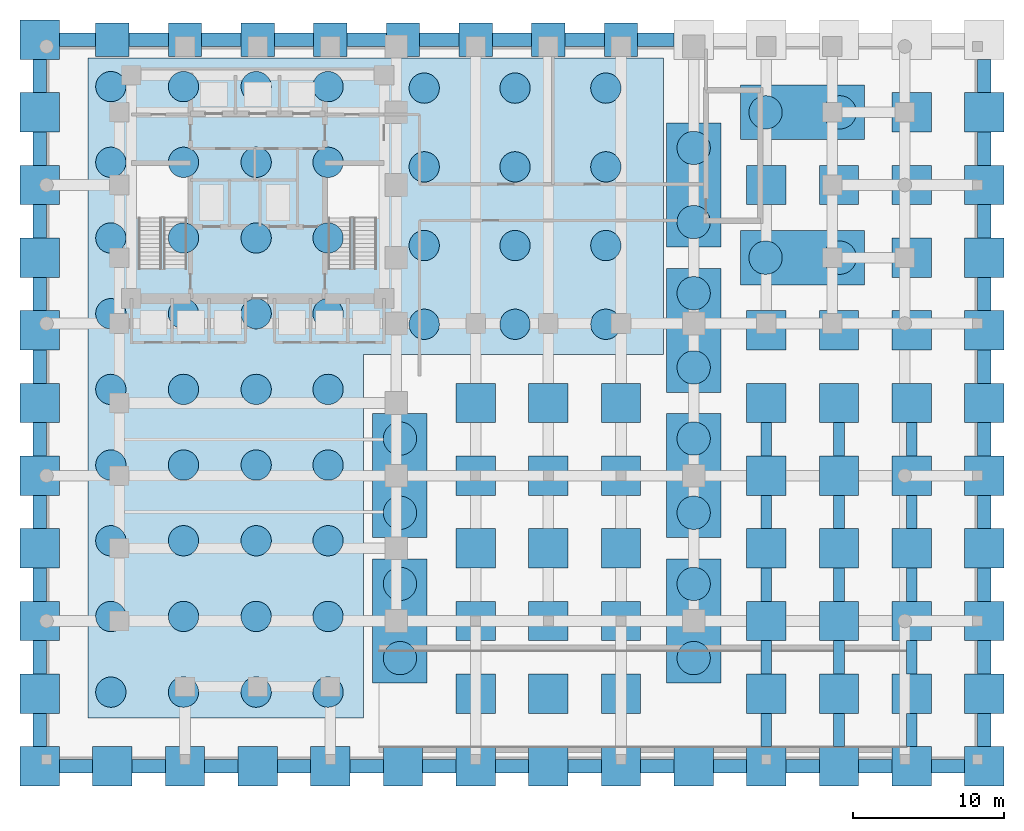
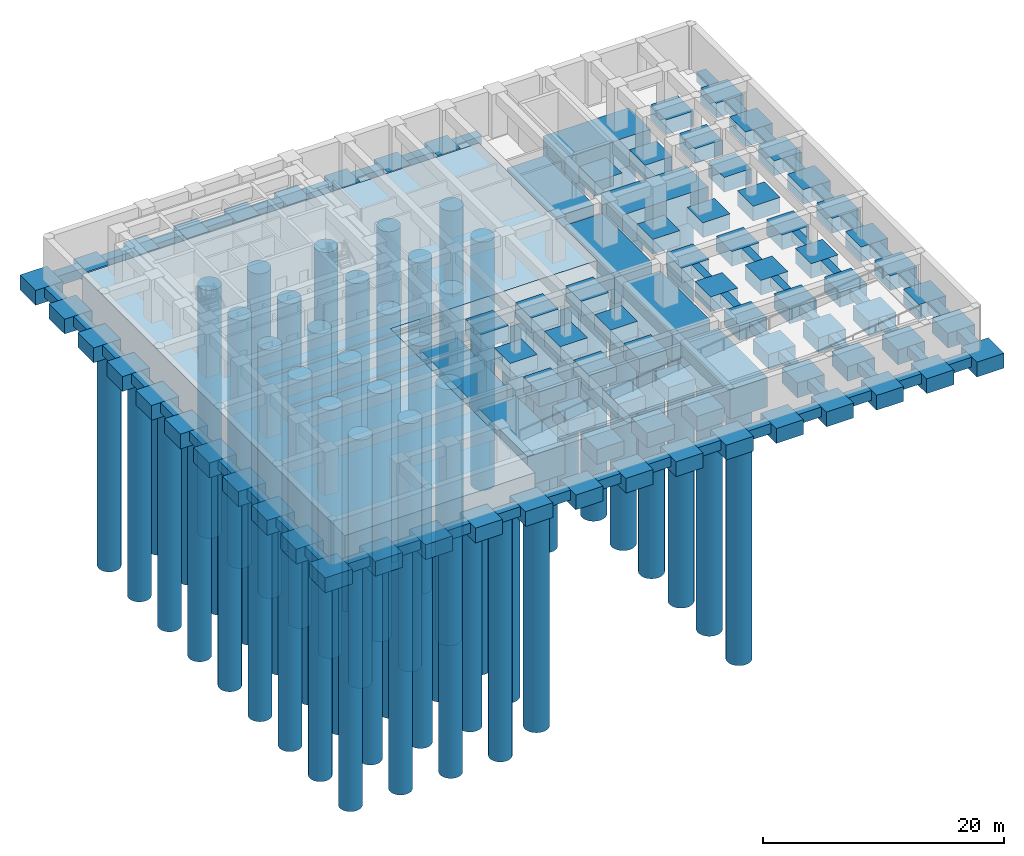
# One storey, part 1 of 8: 145 footings, 64 piles.
"""IFC4 building model written with IfcOpenShell, lengths in metres."""

from ifc_helpers import new_model, si_unit, direction, frame, origin, origin_2d, place, context, subcontext, project, spatial, polyline, rectangle, circle, outline, extrude, material, layer, layer_set, material_profile, profile_set, type_object, element, save


model = new_model("IFC4")

# Units and contexts
model_context = context("Model", 3, precision=1e-05, world=origin(), true_north=direction((0.0, 1.0)))
body_context = subcontext(model_context, "Body", "Model", "MODEL_VIEW")
ifc_project = project(units=[si_unit("LENGTHUNIT", "METRE"), si_unit("AREAUNIT", "SQUARE_METRE"), si_unit("VOLUMEUNIT", "CUBIC_METRE"), si_unit("PLANEANGLEUNIT", "RADIAN"), si_unit("MASSUNIT", "GRAM", prefix="KILO")], contexts=[model_context])

# Site, building, storey
site_placement = place(None, origin())
site = spatial("IfcSite", under=ifc_project, at=site_placement, CompositionType="ELEMENT")
building_placement = place(site_placement, origin())
building = spatial("IfcBuilding", under=site, at=building_placement, Name="Orvandelia Arch Residences", CompositionType="ELEMENT")
storey_placement = place(building_placement, frame((0.0, 0.0, -13.199951171875)))
storey = spatial("IfcBuildingStorey", under=building, at=storey_placement, Name="B3", CompositionType="ELEMENT", Elevation=-13.199951171875)

# Footings
ifc_material = material(Name="Concrete C50/60", Category="concrete")
footing_type_1 = type_object("IfcFootingType", Name="FTG-BEAM-700", PredefinedType="FOOTING_BEAM", material=ifc_material)
for number, where, z_axis, x_axis, name in (
    (1, (48.0, 2.39990234375, -0.89990234375), (0.0, 0.0, 1.0), (1.0, 0.0, 0.0), "Substructure Tie Footing Beam FB-01"),
    (2, (48.0, 7.199951171875, -0.89990234375), (0.0, 0.0, 1.0), (1.0, 0.0, 0.0), "Substructure Tie Footing Beam FB-02"),
    (3, (48.0, 12.0, -0.89990234375), (0.0, 0.0, 1.0), (1.0, 0.0, 0.0), "Substructure Tie Footing Beam FB-03"),
    (4, (48.0, 16.800048828125, -0.89990234375), (0.0, 0.0, 1.0), (1.0, 0.0, 0.0), "Substructure Tie Footing Beam FB-04"),
    (5, (48.0, 21.60009765625, -0.89990234375), (0.0, 0.0, 1.0), (1.0, 0.0, 0.0), "Substructure Tie Footing Beam FB-05"),
    (6, (52.800048828125, 2.39990234375, -0.89990234375), (0.0, 0.0, 1.0), (1.0, 0.0, 0.0), "Substructure Tie Footing Beam FB-06"),
    (7, (52.800048828125, 7.199951171875, -0.89990234375), (0.0, 0.0, 1.0), (1.0, 0.0, 0.0), "Substructure Tie Footing Beam FB-07"),
    (8, (52.800048828125, 12.0, -0.89990234375), (0.0, 0.0, 1.0), (1.0, 0.0, 0.0), "Substructure Tie Footing Beam FB-08"),
    (9, (52.800048828125, 16.800048828125, -0.89990234375), (0.0, 0.0, 1.0), (1.0, 0.0, 0.0), "Substructure Tie Footing Beam FB-09"),
    (10, (52.800048828125, 21.60009765625, -0.89990234375), (0.0, 0.0, 1.0), (1.0, 0.0, 0.0), "Substructure Tie Footing Beam FB-10"),
    (11, (57.60009765625, 2.39990234375, -0.89990234375), (0.0, 0.0, 1.0), (1.0, 0.0, 0.0), "Substructure Tie Footing Beam FB-11"),
    (12, (57.60009765625, 7.199951171875, -0.89990234375), (0.0, 0.0, 1.0), (1.0, 0.0, 0.0), "Substructure Tie Footing Beam FB-12"),
    (13, (57.60009765625, 12.0, -0.89990234375), (0.0, 0.0, 1.0), (1.0, 0.0, 0.0), "Substructure Tie Footing Beam FB-13"),
    (14, (57.60009765625, 16.800048828125, -0.89990234375), (0.0, 0.0, 1.0), (1.0, 0.0, 0.0), "Substructure Tie Footing Beam FB-14"),
    (15, (57.60009765625, 21.60009765625, -0.89990234375), (0.0, 0.0, 1.0), (1.0, 0.0, 0.0), "Substructure Tie Footing Beam FB-15"),
):
    element("IfcFooting", number, at=place(storey_placement, frame(where, z_axis=z_axis, x_axis=x_axis)), inside=storey, type_object=footing_type_1, Name=name, PredefinedType="FOOTING_BEAM", context=body_context, shape_type="SweptSolid", body=[
        extrude(rectangle(XDim=0.699951171875, YDim=2.199951171875, at=origin_2d()), origin(), (0.0, 0.0, 1.0), 0.89990234375),
    ])
footing_type_2 = type_object("IfcFootingType", Name="FTG-PAD-2200", PredefinedType="PAD_FOOTING", material=ifc_material)
for number, where, z_axis, x_axis, name in (
    (16, (4.800048828125, 48.0, -1.30029296875), (0.0, 0.0, 1.0), (1.0, 0.0, 0.0), "Isolated Pad Footing PF-013"),
    (17, (9.60009765625, 48.0, -1.30029296875), (0.0, 0.0, 1.0), (1.0, 0.0, 0.0), "Isolated Pad Footing PF-015"),
    (18, (14.39990234375, 48.0, -1.30029296875), (0.0, 0.0, 1.0), (1.0, 0.0, 0.0), "Isolated Pad Footing PF-017"),
    (19, (19.199951171875, 48.0, -1.30029296875), (0.0, 0.0, 1.0), (1.0, 0.0, 0.0), "Isolated Pad Footing PF-019"),
    (20, (24.0, 48.0, -1.30029296875), (0.0, 0.0, 1.0), (1.0, 0.0, 0.0), "Isolated Pad Footing PF-021"),
    (21, (28.800048828125, 48.0, -1.30029296875), (0.0, 0.0, 1.0), (1.0, 0.0, 0.0), "Isolated Pad Footing PF-028"),
    (22, (33.60009765625, 48.0, -1.30029296875), (0.0, 0.0, 1.0), (1.0, 0.0, 0.0), "Isolated Pad Footing PF-035"),
    (23, (38.39990234375, 48.0, -1.30029296875), (0.0, 0.0, 1.0), (1.0, 0.0, 0.0), "Isolated Pad Footing PF-042"),
):
    element("IfcFooting", number, at=place(storey_placement, frame(where, z_axis=z_axis, x_axis=x_axis)), inside=storey, type_object=footing_type_2, Name=name, PredefinedType="PAD_FOOTING", context=body_context, shape_type="SweptSolid", body=[
        extrude(rectangle(XDim=2.199951171875, YDim=2.199951171875, at=origin_2d()), origin(), (0.0, 0.0, 1.0), 1.300048828125),
    ])
footing_type_3 = type_object("IfcFootingType", Name="FTG-PAD-2600", PredefinedType="PAD_FOOTING", material=ifc_material)
for number, where, z_axis, x_axis, name in (
    (24, (0.0, 0.0, -1.5), (0.0, 0.0, 1.0), (1.0, 0.0, 0.0), "Isolated Pad Footing PF-001"),
    (25, (0.0, 4.800048828125, -1.5), (0.0, 0.0, 1.0), (1.0, 0.0, 0.0), "Isolated Pad Footing PF-002"),
    (26, (0.0, 9.60009765625, -1.5), (0.0, 0.0, 1.0), (1.0, 0.0, 0.0), "Isolated Pad Footing PF-003"),
    (27, (0.0, 14.39990234375, -1.5), (0.0, 0.0, 1.0), (1.0, 0.0, 0.0), "Isolated Pad Footing PF-004"),
    (28, (0.0, 19.199951171875, -1.5), (0.0, 0.0, 1.0), (1.0, 0.0, 0.0), "Isolated Pad Footing PF-005"),
    (29, (0.0, 24.0, -1.5), (0.0, 0.0, 1.0), (1.0, 0.0, 0.0), "Isolated Pad Footing PF-006"),
    (30, (0.0, 28.800048828125, -1.5), (0.0, 0.0, 1.0), (1.0, 0.0, 0.0), "Isolated Pad Footing PF-007"),
    (31, (0.0, 33.60009765625, -1.5), (0.0, 0.0, 1.0), (1.0, 0.0, 0.0), "Isolated Pad Footing PF-008"),
    (32, (0.0, 38.39990234375, -1.5), (0.0, 0.0, 1.0), (1.0, 0.0, 0.0), "Isolated Pad Footing PF-009"),
    (33, (0.0, 43.199951171875, -1.5), (0.0, 0.0, 1.0), (1.0, 0.0, 0.0), "Isolated Pad Footing PF-010"),
    (34, (0.0, 48.0, -1.5), (0.0, 0.0, 1.0), (1.0, 0.0, 0.0), "Isolated Pad Footing PF-011"),
    (35, (4.800048828125, 0.0, -1.5), (0.0, 0.0, 1.0), (1.0, 0.0, 0.0), "Isolated Pad Footing PF-012"),
    (36, (9.60009765625, 0.0, -1.5), (0.0, 0.0, 1.0), (1.0, 0.0, 0.0), "Isolated Pad Footing PF-014"),
    (37, (14.39990234375, 0.0, -1.5), (0.0, 0.0, 1.0), (1.0, 0.0, 0.0), "Isolated Pad Footing PF-016"),
    (38, (19.199951171875, 0.0, -1.5), (0.0, 0.0, 1.0), (1.0, 0.0, 0.0), "Isolated Pad Footing PF-018"),
    (39, (24.0, 0.0, -1.5), (0.0, 0.0, 1.0), (1.0, 0.0, 0.0), "Isolated Pad Footing PF-020"),
    (40, (28.800048828125, 0.0, -1.5), (0.0, 0.0, 1.0), (1.0, 0.0, 0.0), "Isolated Pad Footing PF-022"),
    (41, (28.800048828125, 4.800048828125, -1.5), (0.0, 0.0, 1.0), (1.0, 0.0, 0.0), "Isolated Pad Footing PF-023"),
    (42, (28.800048828125, 9.60009765625, -1.5), (0.0, 0.0, 1.0), (1.0, 0.0, 0.0), "Isolated Pad Footing PF-024"),
    (43, (28.800048828125, 14.39990234375, -1.5), (0.0, 0.0, 1.0), (1.0, 0.0, 0.0), "Isolated Pad Footing PF-025"),
    (44, (28.800048828125, 19.199951171875, -1.5), (0.0, 0.0, 1.0), (1.0, 0.0, 0.0), "Isolated Pad Footing PF-026"),
    (45, (28.800048828125, 24.0, -1.5), (0.0, 0.0, 1.0), (1.0, 0.0, 0.0), "Isolated Pad Footing PF-027"),
    (46, (33.60009765625, 0.0, -1.5), (0.0, 0.0, 1.0), (1.0, 0.0, 0.0), "Isolated Pad Footing PF-029"),
    (47, (33.60009765625, 4.800048828125, -1.5), (0.0, 0.0, 1.0), (1.0, 0.0, 0.0), "Isolated Pad Footing PF-030"),
    (48, (33.60009765625, 9.60009765625, -1.5), (0.0, 0.0, 1.0), (1.0, 0.0, 0.0), "Isolated Pad Footing PF-031"),
    (49, (33.60009765625, 14.39990234375, -1.5), (0.0, 0.0, 1.0), (1.0, 0.0, 0.0), "Isolated Pad Footing PF-032"),
    (50, (33.60009765625, 19.199951171875, -1.5), (0.0, 0.0, 1.0), (1.0, 0.0, 0.0), "Isolated Pad Footing PF-033"),
    (51, (33.60009765625, 24.0, -1.5), (0.0, 0.0, 1.0), (1.0, 0.0, 0.0), "Isolated Pad Footing PF-034"),
    (52, (38.39990234375, 0.0, -1.5), (0.0, 0.0, 1.0), (1.0, 0.0, 0.0), "Isolated Pad Footing PF-036"),
    (53, (38.39990234375, 4.800048828125, -1.5), (0.0, 0.0, 1.0), (1.0, 0.0, 0.0), "Isolated Pad Footing PF-037"),
    (54, (38.39990234375, 9.60009765625, -1.5), (0.0, 0.0, 1.0), (1.0, 0.0, 0.0), "Isolated Pad Footing PF-038"),
    (55, (38.39990234375, 14.39990234375, -1.5), (0.0, 0.0, 1.0), (1.0, 0.0, 0.0), "Isolated Pad Footing PF-039"),
    (56, (38.39990234375, 19.199951171875, -1.5), (0.0, 0.0, 1.0), (1.0, 0.0, 0.0), "Isolated Pad Footing PF-040"),
    (57, (38.39990234375, 24.0, -1.5), (0.0, 0.0, 1.0), (1.0, 0.0, 0.0), "Isolated Pad Footing PF-041"),
    (58, (43.199951171875, 0.0, -1.5), (0.0, 0.0, 1.0), (1.0, 0.0, 0.0), "Isolated Pad Footing PF-043"),
    (59, (48.0, 0.0, -1.5), (0.0, 0.0, 1.0), (1.0, 0.0, 0.0), "Isolated Pad Footing PF-045"),
    (60, (48.0, 4.800048828125, -1.5), (0.0, 0.0, 1.0), (1.0, 0.0, 0.0), "Isolated Pad Footing PF-046"),
    (61, (48.0, 9.60009765625, -1.5), (0.0, 0.0, 1.0), (1.0, 0.0, 0.0), "Isolated Pad Footing PF-047"),
    (62, (48.0, 14.39990234375, -1.5), (0.0, 0.0, 1.0), (1.0, 0.0, 0.0), "Isolated Pad Footing PF-048"),
    (63, (48.0, 19.199951171875, -1.5), (0.0, 0.0, 1.0), (1.0, 0.0, 0.0), "Isolated Pad Footing PF-049"),
    (64, (48.0, 24.0, -1.5), (0.0, 0.0, 1.0), (1.0, 0.0, 0.0), "Isolated Pad Footing PF-050"),
    (65, (48.0, 28.800048828125, -1.5), (0.0, 0.0, 1.0), (1.0, 0.0, 0.0), "Isolated Pad Footing PF-051"),
    (66, (48.0, 38.39990234375, -1.5), (0.0, 0.0, 1.0), (1.0, 0.0, 0.0), "Isolated Pad Footing PF-052"),
    (67, (52.800048828125, 0.0, -1.5), (0.0, 0.0, 1.0), (1.0, 0.0, 0.0), "Isolated Pad Footing PF-054"),
    (68, (52.800048828125, 4.800048828125, -1.5), (0.0, 0.0, 1.0), (1.0, 0.0, 0.0), "Isolated Pad Footing PF-055"),
    (69, (52.800048828125, 9.60009765625, -1.5), (0.0, 0.0, 1.0), (1.0, 0.0, 0.0), "Isolated Pad Footing PF-056"),
    (70, (52.800048828125, 14.39990234375, -1.5), (0.0, 0.0, 1.0), (1.0, 0.0, 0.0), "Isolated Pad Footing PF-057"),
    (71, (52.800048828125, 19.199951171875, -1.5), (0.0, 0.0, 1.0), (1.0, 0.0, 0.0), "Isolated Pad Footing PF-058"),
    (72, (52.800048828125, 24.0, -1.5), (0.0, 0.0, 1.0), (1.0, 0.0, 0.0), "Isolated Pad Footing PF-059"),
    (73, (52.800048828125, 28.800048828125, -1.5), (0.0, 0.0, 1.0), (1.0, 0.0, 0.0), "Isolated Pad Footing PF-060"),
    (74, (52.800048828125, 38.39990234375, -1.5), (0.0, 0.0, 1.0), (1.0, 0.0, 0.0), "Isolated Pad Footing PF-061"),
    (75, (57.60009765625, 0.0, -1.5), (0.0, 0.0, 1.0), (1.0, 0.0, 0.0), "Isolated Pad Footing PF-063"),
    (76, (57.60009765625, 4.800048828125, -1.5), (0.0, 0.0, 1.0), (1.0, 0.0, 0.0), "Isolated Pad Footing PF-064"),
    (77, (57.60009765625, 9.60009765625, -1.5), (0.0, 0.0, 1.0), (1.0, 0.0, 0.0), "Isolated Pad Footing PF-065"),
    (78, (57.60009765625, 14.39990234375, -1.5), (0.0, 0.0, 1.0), (1.0, 0.0, 0.0), "Isolated Pad Footing PF-066"),
    (79, (57.60009765625, 19.199951171875, -1.5), (0.0, 0.0, 1.0), (1.0, 0.0, 0.0), "Isolated Pad Footing PF-067"),
    (80, (57.60009765625, 24.0, -1.5), (0.0, 0.0, 1.0), (1.0, 0.0, 0.0), "Isolated Pad Footing PF-068"),
    (81, (57.60009765625, 28.800048828125, -1.5), (0.0, 0.0, 1.0), (1.0, 0.0, 0.0), "Isolated Pad Footing PF-069"),
    (82, (57.60009765625, 33.60009765625, -1.5), (0.0, 0.0, 1.0), (1.0, 0.0, 0.0), "Isolated Pad Footing PF-070"),
    (83, (57.60009765625, 38.39990234375, -1.5), (0.0, 0.0, 1.0), (1.0, 0.0, 0.0), "Isolated Pad Footing PF-071"),
    (84, (57.60009765625, 43.199951171875, -1.5), (0.0, 0.0, 1.0), (1.0, 0.0, 0.0), "Isolated Pad Footing PF-072"),
    (85, (62.39990234375, 0.0, -1.5), (0.0, 0.0, 1.0), (1.0, 0.0, 0.0), "Isolated Pad Footing PF-074"),
    (86, (62.39990234375, 4.800048828125, -1.5), (0.0, 0.0, 1.0), (1.0, 0.0, 0.0), "Isolated Pad Footing PF-075"),
    (87, (62.39990234375, 9.60009765625, -1.5), (0.0, 0.0, 1.0), (1.0, 0.0, 0.0), "Isolated Pad Footing PF-076"),
    (88, (62.39990234375, 14.39990234375, -1.5), (0.0, 0.0, 1.0), (1.0, 0.0, 0.0), "Isolated Pad Footing PF-077"),
    (89, (62.39990234375, 19.199951171875, -1.5), (0.0, 0.0, 1.0), (1.0, 0.0, 0.0), "Isolated Pad Footing PF-078"),
    (90, (62.39990234375, 24.0, -1.5), (0.0, 0.0, 1.0), (1.0, 0.0, 0.0), "Isolated Pad Footing PF-079"),
    (91, (62.39990234375, 28.800048828125, -1.5), (0.0, 0.0, 1.0), (1.0, 0.0, 0.0), "Isolated Pad Footing PF-080"),
    (92, (62.39990234375, 33.60009765625, -1.5), (0.0, 0.0, 1.0), (1.0, 0.0, 0.0), "Isolated Pad Footing PF-081"),
    (93, (62.39990234375, 38.39990234375, -1.5), (0.0, 0.0, 1.0), (1.0, 0.0, 0.0), "Isolated Pad Footing PF-082"),
    (94, (62.39990234375, 43.199951171875, -1.5), (0.0, 0.0, 1.0), (1.0, 0.0, 0.0), "Isolated Pad Footing PF-083"),
):
    element("IfcFooting", number, at=place(storey_placement, frame(where, z_axis=z_axis, x_axis=x_axis)), inside=storey, type_object=footing_type_3, Name=name, PredefinedType="PAD_FOOTING", context=body_context, shape_type="SweptSolid", body=[
        extrude(rectangle(XDim=2.60009765625, YDim=2.60009765625, at=origin_2d()), origin(), (0.0, 0.0, 1.0), 1.5),
    ])
footing_type_4 = type_object("IfcFootingType", Name="FTG-PCAP-A", PredefinedType="PILE_CAP", material=ifc_material)
for number, where, z_axis, x_axis, name in (
    (95, (23.800048828125, 9.60009765625, -3.0), (0.0, 0.0, 1.0), (1.0, 0.0, 0.0), "Mega-Pier Pile Cap PC-ARCH-W1"),
    (96, (23.800048828125, 19.199951171875, -3.0), (0.0, 0.0, 1.0), (1.0, 0.0, 0.0), "Mega-Pier Pile Cap PC-ARCH-W2"),
    (97, (43.199951171875, 9.60009765625, -3.0), (0.0, 0.0, 1.0), (1.0, 0.0, 0.0), "Mega-Pier Pile Cap PC-ARCH-E1"),
    (98, (43.199951171875, 19.199951171875, -3.0), (0.0, 0.0, 1.0), (1.0, 0.0, 0.0), "Mega-Pier Pile Cap PC-ARCH-E2"),
    (99, (43.199951171875, 28.800048828125, -3.0), (0.0, 0.0, 1.0), (1.0, 0.0, 0.0), "Mega-Pier Pile Cap PC-ARCH-E3"),
    (100, (43.199951171875, 38.39990234375, -3.0), (0.0, 0.0, 1.0), (1.0, 0.0, 0.0), "Mega-Pier Pile Cap PC-ARCH-E4"),
):
    element("IfcFooting", number, at=place(storey_placement, frame(where, z_axis=z_axis, x_axis=x_axis)), inside=storey, type_object=footing_type_4, Name=name, PredefinedType="PILE_CAP", context=body_context, shape_type="SweptSolid", body=[
        extrude(rectangle(XDim=3.60009765625, YDim=8.199951171875, at=origin_2d()), origin(), (0.0, 0.0, 1.0), 3.0),
    ])
footing_type_5 = type_object("IfcFootingType", Name="FTG-PCAP-B", PredefinedType="PILE_CAP", material=ifc_material)
for number, where, z_axis, x_axis, name in (
    (101, (50.39990234375, 33.60009765625, -3.0), (0.0, 0.0, 1.0), (1.0, 0.0, 0.0), "Mega-Pier Pile Cap PC-EWNG-1"),
    (102, (50.39990234375, 43.199951171875, -3.0), (0.0, 0.0, 1.0), (1.0, 0.0, 0.0), "Mega-Pier Pile Cap PC-EWNG-2"),
):
    element("IfcFooting", number, at=place(storey_placement, frame(where, z_axis=z_axis, x_axis=x_axis)), inside=storey, type_object=footing_type_5, Name=name, PredefinedType="PILE_CAP", context=body_context, shape_type="SweptSolid", body=[
        extrude(rectangle(XDim=8.199951171875, YDim=3.60009765625, at=origin_2d()), origin(), (0.0, 0.0, 1.0), 3.0),
    ])
ifc_layer = layer(ifc_material, 3.800048828125, Name="Concrete C50/60", Category="concrete")
ifc_layer_set = layer_set([ifc_layer], Name="Concrete C50/60")
footing_type_6 = type_object("IfcFootingType", Name="FTG-RAFT-3800", PredefinedType="USERDEFINED", material=ifc_layer_set)
footing_placement = place(storey_placement, frame((0.0, 0.0, -3.800048828125)))
element("IfcFooting", 103, at=footing_placement, inside=storey, type_object=footing_type_6, Name="Central Tower Piled-Raft Mat Foundation RF1", ObjectType="RAFT", PredefinedType="USERDEFINED", context=body_context, shape_type="SweptSolid", body=[
    extrude(outline(polyline([(3.199951171875, 3.199951171875), (21.39990234375, 3.199951171875), (21.39990234375, 27.199951171875), (41.199951171875, 27.199951171875), (41.199951171875, 46.800048828125), (3.199951171875, 46.800048828125), (3.199951171875, 3.199951171875)])), origin(), (0.0, 0.0, 1.0), 3.800048828125),
])
footing_type_7 = type_object("IfcFootingType", Name="FTG-STRIP-2200x900", PredefinedType="STRIP_FOOTING", material=ifc_material)
for number, where, z_axis, x_axis, name in (
    (104, (2.39990234375, 0.0, -1.0), (0.0, 0.0, 1.0), (1.0, 0.0, 0.0), "Perimeter Strip Footing STF-001"),
    (105, (7.199951171875, 0.0, -1.0), (0.0, 0.0, 1.0), (1.0, 0.0, 0.0), "Perimeter Strip Footing STF-002"),
    (106, (12.0, 0.0, -1.0), (0.0, 0.0, 1.0), (1.0, 0.0, 0.0), "Perimeter Strip Footing STF-003"),
    (107, (16.800048828125, 0.0, -1.0), (0.0, 0.0, 1.0), (1.0, 0.0, 0.0), "Perimeter Strip Footing STF-004"),
    (108, (21.60009765625, 0.0, -1.0), (0.0, 0.0, 1.0), (1.0, 0.0, 0.0), "Perimeter Strip Footing STF-005"),
    (109, (26.39990234375, 0.0, -1.0), (0.0, 0.0, 1.0), (1.0, 0.0, 0.0), "Perimeter Strip Footing STF-006"),
    (110, (31.199951171875, 0.0, -1.0), (0.0, 0.0, 1.0), (1.0, 0.0, 0.0), "Perimeter Strip Footing STF-007"),
    (111, (36.0, 0.0, -1.0), (0.0, 0.0, 1.0), (1.0, 0.0, 0.0), "Perimeter Strip Footing STF-008"),
    (112, (40.800048828125, 0.0, -1.0), (0.0, 0.0, 1.0), (1.0, 0.0, 0.0), "Perimeter Strip Footing STF-009"),
    (113, (45.60009765625, 0.0, -1.0), (0.0, 0.0, 1.0), (1.0, 0.0, 0.0), "Perimeter Strip Footing STF-010"),
    (114, (50.39990234375, 0.0, -1.0), (0.0, 0.0, 1.0), (1.0, 0.0, 0.0), "Perimeter Strip Footing STF-011"),
    (115, (55.199951171875, 0.0, -1.0), (0.0, 0.0, 1.0), (1.0, 0.0, 0.0), "Perimeter Strip Footing STF-012"),
    (116, (60.0, 0.0, -1.0), (0.0, 0.0, 1.0), (1.0, 0.0, 0.0), "Perimeter Strip Footing STF-013"),
):
    element("IfcFooting", number, at=place(storey_placement, frame(where, z_axis=z_axis, x_axis=x_axis)), inside=storey, type_object=footing_type_7, Name=name, PredefinedType="STRIP_FOOTING", context=body_context, shape_type="SweptSolid", body=[
        extrude(rectangle(XDim=2.199951171875, YDim=0.89990234375, at=origin_2d()), origin(), (0.0, 0.0, 1.0), 1.0),
    ])
footing_type_8 = type_object("IfcFootingType", Name="FTG-STRIP-2400x900", PredefinedType="STRIP_FOOTING", material=ifc_material)
for number, where, z_axis, x_axis, name in (
    (117, (2.5, 48.0, -1.0), (0.0, 0.0, 1.0), (1.0, 0.0, 0.0), "Perimeter Strip Footing STF-014"),
    (118, (40.699951171875, 48.0, -1.0), (0.0, 0.0, 1.0), (1.0, 0.0, 0.0), "Perimeter Strip Footing STF-022"),
):
    element("IfcFooting", number, at=place(storey_placement, frame(where, z_axis=z_axis, x_axis=x_axis)), inside=storey, type_object=footing_type_8, Name=name, PredefinedType="STRIP_FOOTING", context=body_context, shape_type="SweptSolid", body=[
        extrude(rectangle(XDim=2.39990234375, YDim=0.89990234375, at=origin_2d()), origin(), (0.0, 0.0, 1.0), 1.0),
    ])
footing_type_9 = type_object("IfcFootingType", Name="FTG-STRIP-2600x900", PredefinedType="STRIP_FOOTING", material=ifc_material)
for number, where, z_axis, x_axis, name in (
    (119, (7.199951171875, 48.0, -1.0), (0.0, 0.0, 1.0), (1.0, 0.0, 0.0), "Perimeter Strip Footing STF-015"),
    (120, (12.0, 48.0, -1.0), (0.0, 0.0, 1.0), (1.0, 0.0, 0.0), "Perimeter Strip Footing STF-016"),
    (121, (16.800048828125, 48.0, -1.0), (0.0, 0.0, 1.0), (1.0, 0.0, 0.0), "Perimeter Strip Footing STF-017"),
    (122, (21.60009765625, 48.0, -1.0), (0.0, 0.0, 1.0), (1.0, 0.0, 0.0), "Perimeter Strip Footing STF-018"),
    (123, (26.39990234375, 48.0, -1.0), (0.0, 0.0, 1.0), (1.0, 0.0, 0.0), "Perimeter Strip Footing STF-019"),
    (124, (31.199951171875, 48.0, -1.0), (0.0, 0.0, 1.0), (1.0, 0.0, 0.0), "Perimeter Strip Footing STF-020"),
    (125, (36.0, 48.0, -1.0), (0.0, 0.0, 1.0), (1.0, 0.0, 0.0), "Perimeter Strip Footing STF-021"),
):
    element("IfcFooting", number, at=place(storey_placement, frame(where, z_axis=z_axis, x_axis=x_axis)), inside=storey, type_object=footing_type_9, Name=name, PredefinedType="STRIP_FOOTING", context=body_context, shape_type="SweptSolid", body=[
        extrude(rectangle(XDim=2.60009765625, YDim=0.89990234375, at=origin_2d()), origin(), (0.0, 0.0, 1.0), 1.0),
    ])
footing_type_10 = type_object("IfcFootingType", Name="FTG-STRIP-900x2200", PredefinedType="STRIP_FOOTING", material=ifc_material)
for number, where, z_axis, x_axis, name in (
    (126, (0.0, 2.39990234375, -1.0), (0.0, 0.0, 1.0), (1.0, 0.0, 0.0), "Perimeter Strip Footing STF-027"),
    (127, (0.0, 7.199951171875, -1.0), (0.0, 0.0, 1.0), (1.0, 0.0, 0.0), "Perimeter Strip Footing STF-028"),
    (128, (0.0, 12.0, -1.0), (0.0, 0.0, 1.0), (1.0, 0.0, 0.0), "Perimeter Strip Footing STF-029"),
    (129, (0.0, 16.800048828125, -1.0), (0.0, 0.0, 1.0), (1.0, 0.0, 0.0), "Perimeter Strip Footing STF-030"),
    (130, (0.0, 21.60009765625, -1.0), (0.0, 0.0, 1.0), (1.0, 0.0, 0.0), "Perimeter Strip Footing STF-031"),
    (131, (0.0, 26.39990234375, -1.0), (0.0, 0.0, 1.0), (1.0, 0.0, 0.0), "Perimeter Strip Footing STF-032"),
    (132, (0.0, 31.199951171875, -1.0), (0.0, 0.0, 1.0), (1.0, 0.0, 0.0), "Perimeter Strip Footing STF-033"),
    (133, (0.0, 36.0, -1.0), (0.0, 0.0, 1.0), (1.0, 0.0, 0.0), "Perimeter Strip Footing STF-034"),
    (134, (0.0, 40.800048828125, -1.0), (0.0, 0.0, 1.0), (1.0, 0.0, 0.0), "Perimeter Strip Footing STF-035"),
    (135, (0.0, 45.60009765625, -1.0), (0.0, 0.0, 1.0), (1.0, 0.0, 0.0), "Perimeter Strip Footing STF-036"),
    (136, (62.39990234375, 2.39990234375, -1.0), (0.0, 0.0, 1.0), (1.0, 0.0, 0.0), "Perimeter Strip Footing STF-037"),
    (137, (62.39990234375, 7.199951171875, -1.0), (0.0, 0.0, 1.0), (1.0, 0.0, 0.0), "Perimeter Strip Footing STF-038"),
    (138, (62.39990234375, 12.0, -1.0), (0.0, 0.0, 1.0), (1.0, 0.0, 0.0), "Perimeter Strip Footing STF-039"),
    (139, (62.39990234375, 16.800048828125, -1.0), (0.0, 0.0, 1.0), (1.0, 0.0, 0.0), "Perimeter Strip Footing STF-040"),
    (140, (62.39990234375, 21.60009765625, -1.0), (0.0, 0.0, 1.0), (1.0, 0.0, 0.0), "Perimeter Strip Footing STF-041"),
    (141, (62.39990234375, 26.39990234375, -1.0), (0.0, 0.0, 1.0), (1.0, 0.0, 0.0), "Perimeter Strip Footing STF-042"),
    (142, (62.39990234375, 31.199951171875, -1.0), (0.0, 0.0, 1.0), (1.0, 0.0, 0.0), "Perimeter Strip Footing STF-043"),
    (143, (62.39990234375, 36.0, -1.0), (0.0, 0.0, 1.0), (1.0, 0.0, 0.0), "Perimeter Strip Footing STF-044"),
    (144, (62.39990234375, 40.800048828125, -1.0), (0.0, 0.0, 1.0), (1.0, 0.0, 0.0), "Perimeter Strip Footing STF-045"),
    (145, (62.39990234375, 45.60009765625, -1.0), (0.0, 0.0, 1.0), (1.0, 0.0, 0.0), "Perimeter Strip Footing STF-046"),
):
    element("IfcFooting", number, at=place(storey_placement, frame(where, z_axis=z_axis, x_axis=x_axis)), inside=storey, type_object=footing_type_10, Name=name, PredefinedType="STRIP_FOOTING", context=body_context, shape_type="SweptSolid", body=[
        extrude(rectangle(XDim=0.89990234375, YDim=2.199951171875, at=origin_2d()), origin(), (0.0, 0.0, 1.0), 1.0),
    ])

# Piles
ifc_material_profile_1 = material_profile(ifc_material, circle(Radius=1.0, at=origin_2d()), Name="Concrete C50/60", Category="concrete")
ifc_profile_set_1 = profile_set([ifc_material_profile_1], Name="Concrete C50/60")
pile_type_1 = type_object("IfcPileType", Name="PILE-RCD-2000", PredefinedType="BORED", material=ifc_profile_set_1)
for number, where, z_axis, x_axis, name in (
    (146, (4.699951171875, 4.89990234375, -3.650146484375), (0.0, 0.0, -1.0), (1.0, 0.0, 0.0), "Rock-Socketed Bored Pile P1-01"),
    (147, (4.699951171875, 9.89990234375, -3.650146484375), (0.0, 0.0, -1.0), (1.0, 0.0, 0.0), "Rock-Socketed Bored Pile P1-02"),
    (148, (4.699951171875, 14.89990234375, -3.650146484375), (0.0, 0.0, -1.0), (1.0, 0.0, 0.0), "Rock-Socketed Bored Pile P1-03"),
    (149, (4.699951171875, 19.89990234375, -3.650146484375), (0.0, 0.0, -1.0), (1.0, 0.0, 0.0), "Rock-Socketed Bored Pile P1-04"),
    (150, (4.699951171875, 24.89990234375, -3.650146484375), (0.0, 0.0, -1.0), (1.0, 0.0, 0.0), "Rock-Socketed Bored Pile P1-05"),
    (151, (4.699951171875, 29.89990234375, -3.650146484375), (0.0, 0.0, -1.0), (1.0, 0.0, 0.0), "Rock-Socketed Bored Pile P1-06"),
    (152, (4.699951171875, 34.89990234375, -3.650146484375), (0.0, 0.0, -1.0), (1.0, 0.0, 0.0), "Rock-Socketed Bored Pile P1-07"),
    (153, (4.699951171875, 39.89990234375, -3.650146484375), (0.0, 0.0, -1.0), (1.0, 0.0, 0.0), "Rock-Socketed Bored Pile P1-08"),
    (154, (4.699951171875, 44.89990234375, -3.650146484375), (0.0, 0.0, -1.0), (1.0, 0.0, 0.0), "Rock-Socketed Bored Pile P1-09"),
    (155, (9.5, 4.89990234375, -3.650146484375), (0.0, 0.0, -1.0), (1.0, 0.0, 0.0), "Rock-Socketed Bored Pile P1-10"),
    (156, (9.5, 9.89990234375, -3.650146484375), (0.0, 0.0, -1.0), (1.0, 0.0, 0.0), "Rock-Socketed Bored Pile P1-11"),
    (157, (9.5, 14.89990234375, -3.650146484375), (0.0, 0.0, -1.0), (1.0, 0.0, 0.0), "Rock-Socketed Bored Pile P1-12"),
    (158, (9.5, 19.89990234375, -3.650146484375), (0.0, 0.0, -1.0), (1.0, 0.0, 0.0), "Rock-Socketed Bored Pile P1-13"),
    (159, (9.5, 24.89990234375, -3.650146484375), (0.0, 0.0, -1.0), (1.0, 0.0, 0.0), "Rock-Socketed Bored Pile P1-14"),
    (160, (9.5, 29.89990234375, -3.650146484375), (0.0, 0.0, -1.0), (1.0, 0.0, 0.0), "Rock-Socketed Bored Pile P1-15"),
    (161, (9.5, 34.89990234375, -3.650146484375), (0.0, 0.0, -1.0), (1.0, 0.0, 0.0), "Rock-Socketed Bored Pile P1-16"),
    (162, (9.5, 39.89990234375, -3.650146484375), (0.0, 0.0, -1.0), (1.0, 0.0, 0.0), "Rock-Socketed Bored Pile P1-17"),
    (163, (9.5, 44.89990234375, -3.650146484375), (0.0, 0.0, -1.0), (1.0, 0.0, 0.0), "Rock-Socketed Bored Pile P1-18"),
    (164, (14.300048828125, 4.89990234375, -3.650146484375), (0.0, 0.0, -1.0), (1.0, 0.0, 0.0), "Rock-Socketed Bored Pile P1-19"),
    (165, (14.300048828125, 9.89990234375, -3.650146484375), (0.0, 0.0, -1.0), (1.0, 0.0, 0.0), "Rock-Socketed Bored Pile P1-20"),
    (166, (14.300048828125, 14.89990234375, -3.650146484375), (0.0, 0.0, -1.0), (1.0, 0.0, 0.0), "Rock-Socketed Bored Pile P1-21"),
    (167, (14.300048828125, 19.89990234375, -3.650146484375), (0.0, 0.0, -1.0), (1.0, 0.0, 0.0), "Rock-Socketed Bored Pile P1-22"),
    (168, (14.300048828125, 24.89990234375, -3.650146484375), (0.0, 0.0, -1.0), (1.0, 0.0, 0.0), "Rock-Socketed Bored Pile P1-23"),
    (169, (14.300048828125, 29.89990234375, -3.650146484375), (0.0, 0.0, -1.0), (1.0, 0.0, 0.0), "Rock-Socketed Bored Pile P1-24"),
    (170, (14.300048828125, 34.89990234375, -3.650146484375), (0.0, 0.0, -1.0), (1.0, 0.0, 0.0), "Rock-Socketed Bored Pile P1-25"),
    (171, (14.300048828125, 39.89990234375, -3.650146484375), (0.0, 0.0, -1.0), (1.0, 0.0, 0.0), "Rock-Socketed Bored Pile P1-26"),
    (172, (14.300048828125, 44.89990234375, -3.650146484375), (0.0, 0.0, -1.0), (1.0, 0.0, 0.0), "Rock-Socketed Bored Pile P1-27"),
    (173, (19.050048828125, 4.89990234375, -3.650146484375), (0.0, 0.0, -1.0), (1.0, 0.0, 0.0), "Rock-Socketed Bored Pile P1-28"),
    (174, (19.050048828125, 9.89990234375, -3.650146484375), (0.0, 0.0, -1.0), (1.0, 0.0, 0.0), "Rock-Socketed Bored Pile P1-29"),
    (175, (19.050048828125, 14.89990234375, -3.650146484375), (0.0, 0.0, -1.0), (1.0, 0.0, 0.0), "Rock-Socketed Bored Pile P1-30"),
    (176, (19.050048828125, 19.89990234375, -3.650146484375), (0.0, 0.0, -1.0), (1.0, 0.0, 0.0), "Rock-Socketed Bored Pile P1-31"),
    (177, (19.050048828125, 24.89990234375, -3.650146484375), (0.0, 0.0, -1.0), (1.0, 0.0, 0.0), "Rock-Socketed Bored Pile P1-32"),
    (178, (19.050048828125, 29.89990234375, -3.650146484375), (0.0, 0.0, -1.0), (1.0, 0.0, 0.0), "Rock-Socketed Bored Pile P1-33"),
    (179, (19.050048828125, 34.89990234375, -3.650146484375), (0.0, 0.0, -1.0), (1.0, 0.0, 0.0), "Rock-Socketed Bored Pile P1-34"),
    (180, (19.050048828125, 39.89990234375, -3.650146484375), (0.0, 0.0, -1.0), (1.0, 0.0, 0.0), "Rock-Socketed Bored Pile P1-35"),
    (181, (19.050048828125, 44.89990234375, -3.650146484375), (0.0, 0.0, -1.0), (1.0, 0.0, 0.0), "Rock-Socketed Bored Pile P1-36"),
    (182, (25.39990234375, 29.199951171875, -3.650146484375), (0.0, 0.0, -1.0), (1.0, 0.0, 0.0), "Rock-Socketed Bored Pile P1-37"),
    (183, (25.39990234375, 34.39990234375, -3.650146484375), (0.0, 0.0, -1.0), (1.0, 0.0, 0.0), "Rock-Socketed Bored Pile P1-38"),
    (184, (25.39990234375, 39.60009765625, -3.650146484375), (0.0, 0.0, -1.0), (1.0, 0.0, 0.0), "Rock-Socketed Bored Pile P1-39"),
    (185, (25.39990234375, 44.800048828125, -3.650146484375), (0.0, 0.0, -1.0), (1.0, 0.0, 0.0), "Rock-Socketed Bored Pile P1-40"),
    (186, (31.39990234375, 29.199951171875, -3.650146484375), (0.0, 0.0, -1.0), (1.0, 0.0, 0.0), "Rock-Socketed Bored Pile P1-41"),
    (187, (31.39990234375, 34.39990234375, -3.650146484375), (0.0, 0.0, -1.0), (1.0, 0.0, 0.0), "Rock-Socketed Bored Pile P1-42"),
    (188, (31.39990234375, 39.60009765625, -3.650146484375), (0.0, 0.0, -1.0), (1.0, 0.0, 0.0), "Rock-Socketed Bored Pile P1-43"),
    (189, (31.39990234375, 44.800048828125, -3.650146484375), (0.0, 0.0, -1.0), (1.0, 0.0, 0.0), "Rock-Socketed Bored Pile P1-44"),
    (190, (37.39990234375, 29.199951171875, -3.650146484375), (0.0, 0.0, -1.0), (1.0, 0.0, 0.0), "Rock-Socketed Bored Pile P1-45"),
    (191, (37.39990234375, 34.39990234375, -3.650146484375), (0.0, 0.0, -1.0), (1.0, 0.0, 0.0), "Rock-Socketed Bored Pile P1-46"),
    (192, (37.39990234375, 39.60009765625, -3.650146484375), (0.0, 0.0, -1.0), (1.0, 0.0, 0.0), "Rock-Socketed Bored Pile P1-47"),
    (193, (37.39990234375, 44.800048828125, -3.650146484375), (0.0, 0.0, -1.0), (1.0, 0.0, 0.0), "Rock-Socketed Bored Pile P1-48"),
):
    element("IfcPile", number, at=place(storey_placement, frame(where, z_axis=z_axis, x_axis=x_axis)), inside=storey, type_object=pile_type_1, Name=name, PredefinedType="BORED", context=body_context, shape_type="SweptSolid", body=[
        extrude(circle(Radius=1.0, at=origin_2d()), origin(), (0.0, 0.0, 1.0), 25.14990234375),
    ])
ifc_material_profile_2 = material_profile(ifc_material, circle(Radius=1.10009765625, at=origin_2d()), Name="Concrete C50/60", Category="concrete")
ifc_profile_set_2 = profile_set([ifc_material_profile_2], Name="Concrete C50/60")
pile_type_2 = type_object("IfcPileType", Name="PILE-RCD-2200", PredefinedType="BORED", material=ifc_profile_set_2)
for number, where, z_axis, x_axis, name in (
    (194, (23.800048828125, 7.14990234375, -2.85009765625), (0.0, 0.0, -1.0), (1.0, 0.0, 0.0), "Mega-Pier Bored Pile P2-01"),
    (195, (23.800048828125, 12.050048828125, -2.85009765625), (0.0, 0.0, -1.0), (1.0, 0.0, 0.0), "Mega-Pier Bored Pile P2-02"),
    (196, (23.800048828125, 16.75, -2.85009765625), (0.0, 0.0, -1.0), (1.0, 0.0, 0.0), "Mega-Pier Bored Pile P2-03"),
    (197, (23.800048828125, 21.64990234375, -2.85009765625), (0.0, 0.0, -1.0), (1.0, 0.0, 0.0), "Mega-Pier Bored Pile P2-04"),
    (198, (43.199951171875, 7.14990234375, -2.85009765625), (0.0, 0.0, -1.0), (1.0, 0.0, 0.0), "Mega-Pier Bored Pile P2-05"),
    (199, (43.199951171875, 12.050048828125, -2.85009765625), (0.0, 0.0, -1.0), (1.0, 0.0, 0.0), "Mega-Pier Bored Pile P2-06"),
    (200, (43.199951171875, 16.75, -2.85009765625), (0.0, 0.0, -1.0), (1.0, 0.0, 0.0), "Mega-Pier Bored Pile P2-07"),
    (201, (43.199951171875, 21.64990234375, -2.85009765625), (0.0, 0.0, -1.0), (1.0, 0.0, 0.0), "Mega-Pier Bored Pile P2-08"),
    (202, (43.199951171875, 26.35009765625, -2.85009765625), (0.0, 0.0, -1.0), (1.0, 0.0, 0.0), "Mega-Pier Bored Pile P2-09"),
    (203, (43.199951171875, 31.25, -2.85009765625), (0.0, 0.0, -1.0), (1.0, 0.0, 0.0), "Mega-Pier Bored Pile P2-10"),
    (204, (43.199951171875, 35.949951171875, -2.85009765625), (0.0, 0.0, -1.0), (1.0, 0.0, 0.0), "Mega-Pier Bored Pile P2-11"),
    (205, (43.199951171875, 40.85009765625, -2.85009765625), (0.0, 0.0, -1.0), (1.0, 0.0, 0.0), "Mega-Pier Bored Pile P2-12"),
    (206, (47.949951171875, 33.60009765625, -2.85009765625), (0.0, 0.0, -1.0), (1.0, 0.0, 0.0), "Mega-Pier Bored Pile P2-13"),
    (207, (52.85009765625, 33.60009765625, -2.85009765625), (0.0, 0.0, -1.0), (1.0, 0.0, 0.0), "Mega-Pier Bored Pile P2-14"),
    (208, (47.949951171875, 43.199951171875, -2.85009765625), (0.0, 0.0, -1.0), (1.0, 0.0, 0.0), "Mega-Pier Bored Pile P2-15"),
    (209, (52.85009765625, 43.199951171875, -2.85009765625), (0.0, 0.0, -1.0), (1.0, 0.0, 0.0), "Mega-Pier Bored Pile P2-16"),
):
    element("IfcPile", number, at=place(storey_placement, frame(where, z_axis=z_axis, x_axis=x_axis)), inside=storey, type_object=pile_type_2, Name=name, PredefinedType="BORED", context=body_context, shape_type="SweptSolid", body=[
        extrude(circle(Radius=1.10009765625, at=origin_2d()), origin(), (0.0, 0.0, 1.0), 25.949951171875),
    ])

save(model, "model.ifc")
